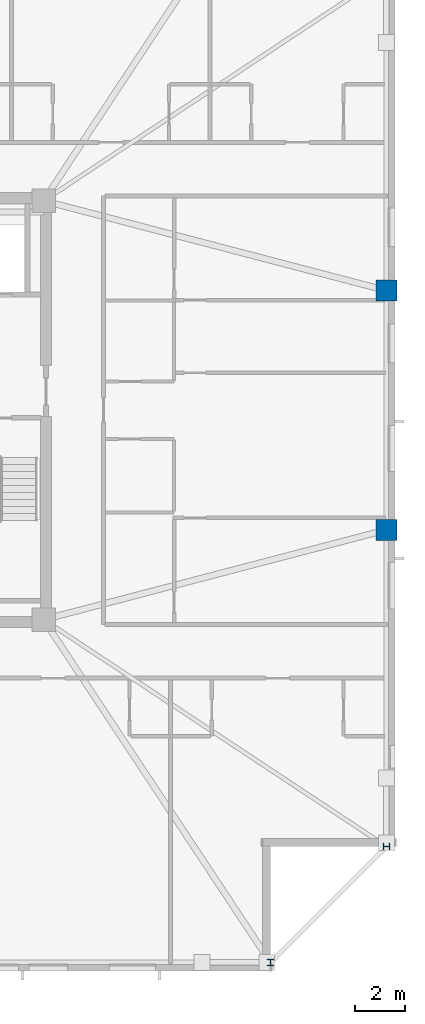
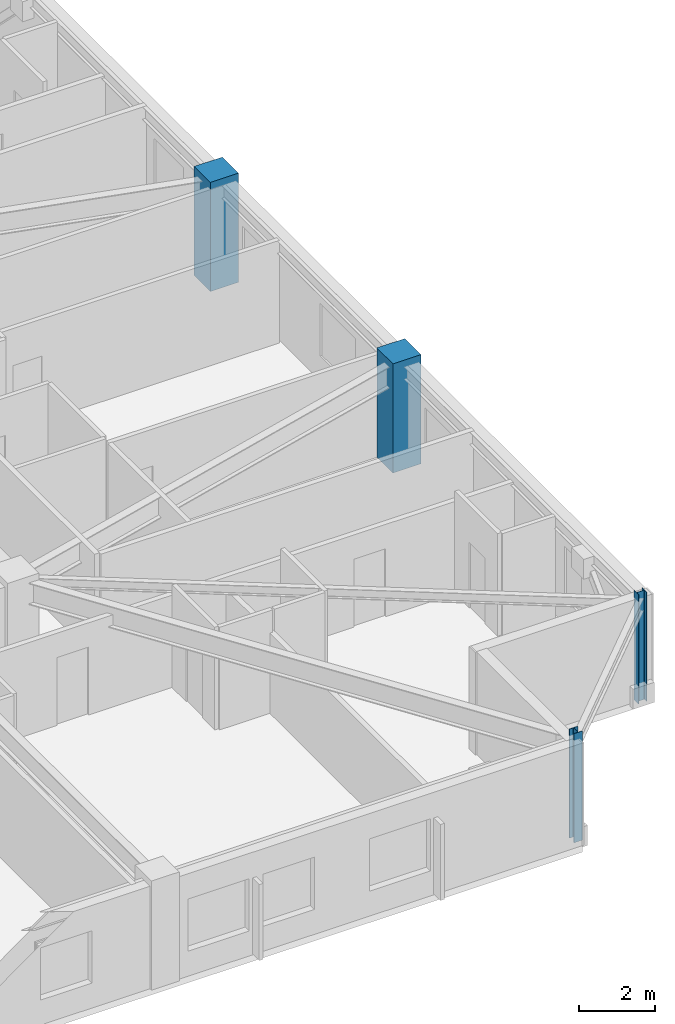
# One storey, part 3 of 17: 4 columns.
"""IFC4 building model written with IfcOpenShell, lengths in metres."""

from ifc_helpers import new_model, si_unit, direction, frame, origin, origin_2d, place, context, subcontext, project, spatial, rectangle, i_section, extrude, material, material_profile, profile_set, type_object, element, save


model = new_model("IFC4")

# Units and contexts
model_context = context("Model", 3, precision=1e-05, world=origin(), true_north=direction((0.0, 1.0)))
body_context = subcontext(model_context, "Body", "Model", "MODEL_VIEW")
ifc_project = project(units=[si_unit("LENGTHUNIT", "METRE"), si_unit("AREAUNIT", "SQUARE_METRE"), si_unit("VOLUMEUNIT", "CUBIC_METRE"), si_unit("PLANEANGLEUNIT", "RADIAN"), si_unit("MASSUNIT", "GRAM", prefix="KILO")], contexts=[model_context])

# Site, building, storey
site_placement = place(None, origin())
site = spatial("IfcSite", under=ifc_project, at=site_placement, CompositionType="ELEMENT")
building_placement = place(site_placement, origin())
building = spatial("IfcBuilding", under=site, at=building_placement, Name="Cairnveth Concourse Tower", CompositionType="ELEMENT")
storey_placement = place(building_placement, frame((0.0, 0.0, 251.5)))
storey = spatial("IfcBuildingStorey", under=building, at=storey_placement, Name="L69", CompositionType="ELEMENT", Elevation=251.5)

# Columns
ifc_material_1 = material(Name="Concrete N65 (65 MPa)", Category="concrete")
ifc_material_profile_1 = material_profile(ifc_material_1, rectangle(XDim=0.85009765625, YDim=0.85009765625, at=origin_2d()), Name="RC-COL-850x850")
ifc_profile_set_1 = profile_set([ifc_material_profile_1], Name="Concrete N65 (65 MPa)")
column_type_1 = type_object("IfcColumnType", Name="PERIMETER PIER COLUMN 850X850", PredefinedType="COLUMN", material=ifc_profile_set_1)
for number, where, z_axis, x_axis, name in (
    (1, (74.14990234375, 34.199951171875, 0.0), (0.0, 0.0, 1.0), (0.0, 1.0, 0.0), "Column P-E2 L69"),
    (2, (74.14990234375, 43.800048828125, 0.0), (0.0, 0.0, 1.0), (0.0, 1.0, 0.0), "Column P-E3 L69"),
):
    element("IfcColumn", number, at=place(storey_placement, frame(where, z_axis=z_axis, x_axis=x_axis)), inside=storey, type_object=column_type_1, Name=name, PredefinedType="COLUMN", context=body_context, shape_type="SweptSolid", body=[
        extrude(rectangle(XDim=0.85009765625, YDim=0.85009765625, at=origin_2d()), origin(), (0.0, 0.0, 1.0), 3.5),
    ])
ifc_material_2 = material(Name="Steel Grade 350", Category="steel")
ifc_material_profile_2 = material_profile(ifc_material_2, i_section(OverallWidth=0.256103515625, OverallDepth=0.260009765625, WebThickness=0.010498046875, FlangeThickness=0.017333984375, FilletRadius=0.012939453125, at=origin_2d()), Name="250UC89.5")
ifc_profile_set_2 = profile_set([ifc_material_profile_2], Name="Steel Grade 350")
column_type_2 = type_object("IfcColumnType", Name="UNIVERSAL STEEL COLUMN 250UC89.5", PredefinedType="COLUMN", material=ifc_profile_set_2)
for number, where, z_axis, x_axis, name in (
    (3, (69.5, 16.85009765625, 0.0), (0.0, 0.0, 1.0), (1.0, 0.0, 0.0), "Column P-S4 L69"),
    (4, (74.14990234375, 21.5, 0.0), (0.0, 0.0, 1.0), (0.0, 1.0, 0.0), "Column P-E1 L69"),
):
    element("IfcColumn", number, at=place(storey_placement, frame(where, z_axis=z_axis, x_axis=x_axis)), inside=storey, type_object=column_type_2, Name=name, PredefinedType="COLUMN", context=body_context, shape_type="SweptSolid", body=[
        extrude(i_section(OverallWidth=0.256103515625, OverallDepth=0.260009765625, WebThickness=0.010498046875, FlangeThickness=0.017333984375, FilletRadius=0.012939453125, at=origin_2d()), origin(), (0.0, 0.0, 1.0), 3.5),
    ])

save(model, "model.ifc")
